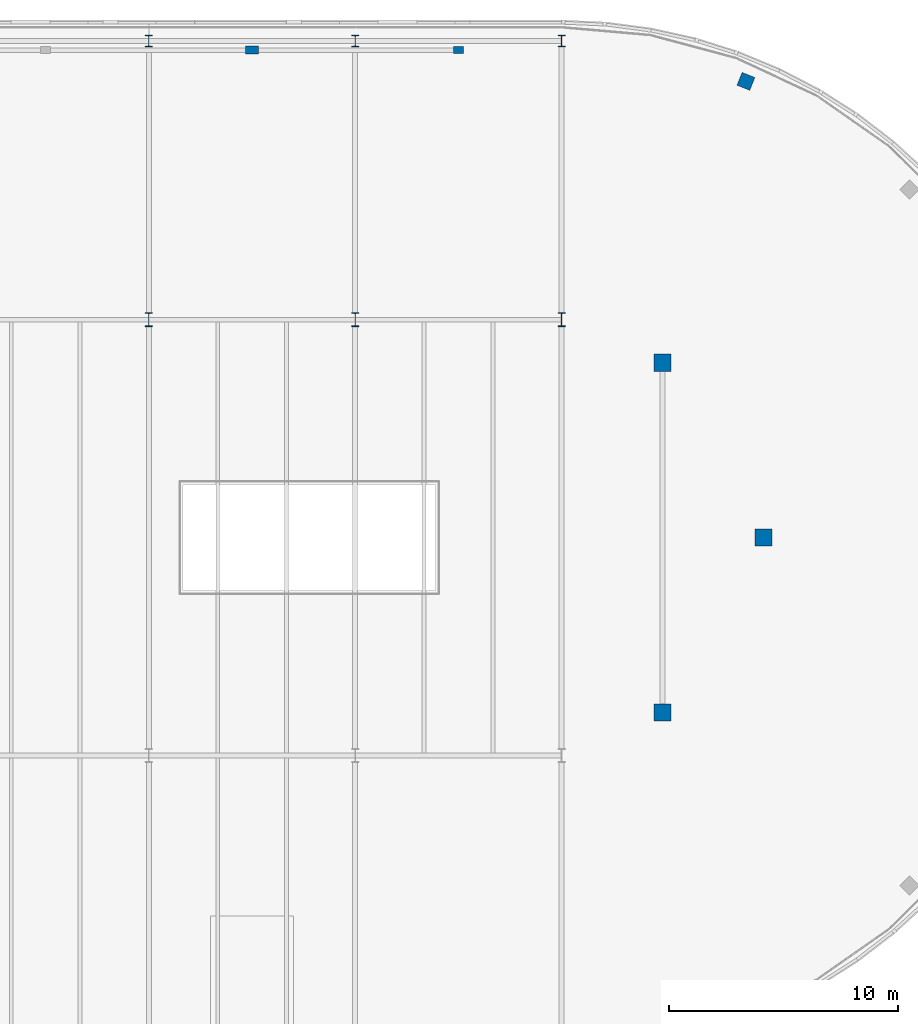
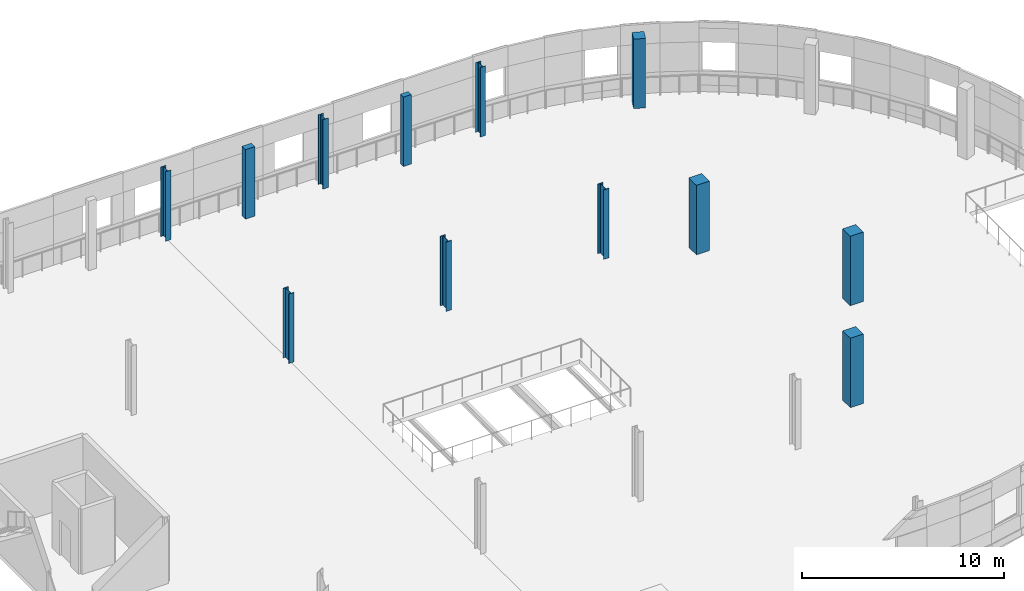
# One storey, part 14 of 135: 12 columns.
"""IFC4 building model written with IfcOpenShell, lengths in metres."""

import ifcopenshell
import ifcopenshell.guid

model = None  # the IFC model being written
_history = None  # IfcOwnerHistory: only IFC2X3 demands one
_inside = {}  # id of a spatial element -> (the spatial element, [elements in it])
_under = {}  # id of a project, library or spatial element -> (it, [spatial elements below it])
_declared = {}  # id of a project -> (the project, [libraries it declares])
_typed = {}  # id of a type object -> (the type object, [elements of that type])
_made_of = {}  # id of a material, layer set ... -> (it, [elements and type objects made of it])


def new_model(schema):
    """Start an empty IFC model of exactly this schema.

    Asked for "IFC4X3", IfcOpenShell would pick the latest addendum, in which some entities
    have other attributes; the version numbers below select the first issue.
    IFC2X3 requires an IfcOwnerHistory on every rooted entity: one is made here for all.
    """
    global model, _history
    if schema == "IFC4X3":
        model = ifcopenshell.file(schema_version=(4, 3, 0, 0))
    else:
        model = ifcopenshell.file(schema=schema)
    _inside.clear()
    _under.clear()
    _declared.clear()
    _typed.clear()
    _made_of.clear()
    _history = None
    if model.schema == "IFC2X3":
        org = make("IfcOrganization", Name="unknown")
        user = make(
            "IfcPersonAndOrganization",
            ThePerson=make("IfcPerson", FamilyName="unknown"),
            TheOrganization=org,
        )
        app = make(
            "IfcApplication",
            ApplicationDeveloper=org,
            Version="unknown",
            ApplicationFullName="unknown",
            ApplicationIdentifier="unknown",
        )
        _history = make(
            "IfcOwnerHistory",
            OwningUser=user,
            OwningApplication=app,
            ChangeAction="ADDED",
            CreationDate=0,
        )
    return model


def make(cls, **values):
    """One entity of the class cls with the attributes given. An attribute that is None is left unset."""
    return model.create_entity(
        cls, **{name: value for name, value in values.items() if value is not None}
    )


def rooted(cls, **values):
    """An entity with a GlobalId (a new one), such as an element, a storey or a relation."""
    return make(cls, GlobalId=ifcopenshell.guid.new(), OwnerHistory=_history, **values)


def si_unit(unit_type, name, prefix=None):
    """IfcSIUnit, for example si_unit("LENGTHUNIT", "METRE", prefix="MILLI")."""
    return make("IfcSIUnit", UnitType=unit_type, Prefix=prefix, Name=name)


def assignment(units):
    """IfcUnitAssignment: the units of a project."""
    return None if units is None else make("IfcUnitAssignment", Units=units)


def point(xyz):
    """IfcCartesianPoint."""
    return None if xyz is None else make("IfcCartesianPoint", Coordinates=xyz)


def direction(xyz):
    """IfcDirection."""
    return None if xyz is None else make("IfcDirection", DirectionRatios=xyz)


def frame(location, z_axis=None, x_axis=None):
    """IfcAxis2Placement3D, a coordinate frame: its origin and axes. An axis left out is left unset."""
    return make(
        "IfcAxis2Placement3D",
        Location=point(location),
        Axis=direction(z_axis),
        RefDirection=direction(x_axis),
    )


def frame_2d(location, x_axis=None):
    """IfcAxis2Placement2D, a coordinate frame in the plane: its origin and x axis."""
    return make(
        "IfcAxis2Placement2D", Location=point(location), RefDirection=direction(x_axis)
    )


def origin():
    """The frame at (0, 0, 0) with its axes left unset."""
    return frame((0.0, 0.0, 0.0))


def origin_2d():
    """The frame at (0, 0) in the plane with its x axis left unset."""
    return frame_2d((0.0, 0.0))


def place(relative_to, where):
    """IfcLocalPlacement: puts the frame where relative to a parent placement (None: the world)."""
    return make(
        "IfcLocalPlacement", PlacementRelTo=relative_to, RelativePlacement=where
    )


def context(
    kind, dimensions, precision=None, world=None, true_north=None, identifier=None
):
    """IfcGeometricRepresentationContext, for example the 3D "Model" context."""
    return make(
        "IfcGeometricRepresentationContext",
        ContextIdentifier=identifier,
        ContextType=kind,
        CoordinateSpaceDimension=dimensions,
        Precision=precision,
        WorldCoordinateSystem=world,
        TrueNorth=true_north,
    )


def subcontext(parent, identifier, kind, view, scale=None):
    """IfcGeometricRepresentationSubContext, for example "Body" below "Model"."""
    return make(
        "IfcGeometricRepresentationSubContext",
        ContextIdentifier=identifier,
        ContextType=kind,
        ParentContext=parent,
        TargetScale=scale,
        TargetView=view,
    )


def project(units=None, contexts=None):
    """IfcProject with its units and contexts."""
    return rooted(
        "IfcProject",
        Name="project",
        RepresentationContexts=contexts,
        UnitsInContext=assignment(units),
    )


def spatial(cls, under=None, at=None, **own):
    """A site, building, storey or space (cls), placed at a placement, below another one or the project."""
    s = rooted(cls, ObjectPlacement=at, **own)
    if under is not None:
        _under.setdefault(under.id(), (under, []))[1].append(s)
    return s


def profile(cls, at=None, kind="AREA", **sizes):
    """A parametric profile (cls). Its sizes go by their IFC names, for example OverallWidth=200.0."""
    return make(cls, ProfileType=kind, Position=at, **sizes)


def rectangle(**sizes):
    """IfcRectangleProfileDef."""
    return profile("IfcRectangleProfileDef", **sizes)


def i_section(**sizes):
    """IfcIShapeProfileDef."""
    return profile("IfcIShapeProfileDef", **sizes)


def extrude(swept, where, along, depth):
    """IfcExtrudedAreaSolid: the profile swept, set in the frame where, extruded along a direction by depth."""
    return make(
        "IfcExtrudedAreaSolid",
        SweptArea=swept,
        Position=where,
        ExtrudedDirection=direction(along),
        Depth=depth,
    )


def shape(context_of_items, identifier, shape_type, items):
    """IfcShapeRepresentation: the items that make up one representation, for example the "Body"."""
    return make(
        "IfcShapeRepresentation",
        ContextOfItems=context_of_items,
        RepresentationIdentifier=identifier,
        RepresentationType=shape_type,
        Items=items,
    )


def material(Name=None, Category=None):
    """IfcMaterial."""
    return make("IfcMaterial", Name=Name, Category=Category)


def material_profile(
    of_material, cross_section, Name=None, Category=None, Priority=None
):
    """IfcMaterialProfile: a cross section and its material."""
    return make(
        "IfcMaterialProfile",
        Name=Name,
        Material=of_material,
        Profile=cross_section,
        Priority=Priority,
        Category=Category,
    )


def profile_set(profiles, Name=None, composite=None):
    """IfcMaterialProfileSet."""
    return make(
        "IfcMaterialProfileSet",
        Name=Name,
        MaterialProfiles=profiles,
        CompositeProfile=composite,
    )


def made_of(thing, what):
    """Note that an element or type object is made of a material, layer set ...; save() writes the relation."""
    if what is not None:
        _made_of.setdefault(what.id(), (what, []))[1].append(thing)
    return thing


def type_object(cls, material=None, **own):
    """A type object (cls), such as IfcWallType, which elements share."""
    return made_of(rooted(cls, **own), material)


def element(
    cls,
    number,
    at=None,
    inside=None,
    cuts=None,
    type_object=None,
    material=None,
    context=None,
    identifier="Body",
    shape_type=None,
    held_by="IfcProductDefinitionShape",
    body=None,
    shapes=None,
    **own,
):
    """One element of the class cls, such as IfcWall. Its Tag is "e" and its number.

    at: its placement. inside: the storey or other place that contains it. cuts: it is an
    opening in that element (IfcRelVoidsElement). A single representation is given by context,
    identifier, shape_type and body (its items); several are given by shapes. held_by: the class
    of the entity that holds the representations. save() writes the other relations.
    """
    e = rooted(cls, Tag="e%d" % number, ObjectPlacement=at, **own)
    if body is not None:
        shapes = [shape(context, identifier, shape_type, body)]
    if shapes is not None:
        e.Representation = make(held_by, Representations=shapes)
    if inside is not None:
        _inside.setdefault(inside.id(), (inside, []))[1].append(e)
    if cuts is not None:
        rooted(
            "IfcRelVoidsElement", RelatingBuildingElement=cuts, RelatedOpeningElement=e
        )
    if type_object is not None:
        _typed.setdefault(type_object.id(), (type_object, []))[1].append(e)
    return made_of(e, material)


def aggregate(whole, parts):
    """IfcRelAggregates: a whole, such as a stair, and the parts it consists of."""
    return rooted("IfcRelAggregates", RelatingObject=whole, RelatedObjects=parts)


def save(model, path):
    """Write the relations noted so far, then the file.

    IfcRelAggregates (storeys below a building ...), IfcRelContainedInSpatialStructure (elements
    in a storey), IfcRelDefinesByType, IfcRelAssociatesMaterial and IfcRelDeclares: one each for
    every whole, place, type object, material and project.
    """
    for whole, parts in _under.values():
        aggregate(whole, parts)
    for where, things in _inside.values():
        rooted(
            "IfcRelContainedInSpatialStructure",
            RelatedElements=things,
            RelatingStructure=where,
        )
    for kind, things in _typed.values():
        rooted("IfcRelDefinesByType", RelatedObjects=things, RelatingType=kind)
    for what, things in _made_of.values():
        rooted("IfcRelAssociatesMaterial", RelatedObjects=things, RelatingMaterial=what)
    for by, libraries in _declared.values():
        rooted("IfcRelDeclares", RelatingContext=by, RelatedDefinitions=libraries)
    model.write(path)


model = new_model("IFC4")

# Units and contexts
model_context = context("Model", 3, precision=1e-05, world=origin(), true_north=direction((0.0, 1.0)))
body_context = subcontext(model_context, "Body", "Model", "MODEL_VIEW")
ifc_project = project(units=[si_unit("LENGTHUNIT", "METRE"), si_unit("AREAUNIT", "SQUARE_METRE"), si_unit("VOLUMEUNIT", "CUBIC_METRE"), si_unit("PLANEANGLEUNIT", "RADIAN"), si_unit("MASSUNIT", "GRAM", prefix="KILO")], contexts=[model_context])

# Site, building, storey
site_placement = place(None, origin())
site = spatial("IfcSite", under=ifc_project, at=site_placement, CompositionType="ELEMENT")
building_placement = place(site_placement, origin())
building = spatial("IfcBuilding", under=site, at=building_placement, Name="Deido Ridge Mobility Hub", CompositionType="ELEMENT")
storey_placement = place(building_placement, frame((0.0, 0.0, 4.199951171875)))
storey = spatial("IfcBuildingStorey", under=building, at=storey_placement, Name="L01", CompositionType="ELEMENT", Elevation=4.199951171875)

# Columns
ifc_material_1 = material(Name="Steel S355J2 EN 10025-2", Category="steel")
ifc_material_profile_1 = material_profile(ifc_material_1, i_section(OverallWidth=0.300048828125, OverallDepth=0.5, WebThickness=0.014404296875, FlangeThickness=0.028076171875, FilletRadius=0.027099609375, at=origin_2d()), Name="HEB 500")
ifc_profile_set_1 = profile_set([ifc_material_profile_1], Name="Steel S355J2 EN 10025-2")
column_type_1 = type_object("IfcColumnType", Name="COL-HEB500", PredefinedType="COLUMN", material=ifc_profile_set_1)
for number, where, z_axis, x_axis, name in (
    (1, (99.0, 125.14990234375, 0.0), (0.0, 0.0, 1.0), (1.0, 0.0, 0.0), "Structural column C5"),
    (2, (108.0, 125.14990234375, 0.0), (0.0, 0.0, 1.0), (1.0, 0.0, 0.0), "Structural column C5"),
    (3, (117.0, 125.14990234375, 0.0), (0.0, 0.0, 1.0), (1.0, 0.0, 0.0), "Structural column C5"),
):
    element("IfcColumn", number, at=place(storey_placement, frame(where, z_axis=z_axis, x_axis=x_axis)), inside=storey, type_object=column_type_1, Name=name, PredefinedType="COLUMN", context=body_context, shape_type="SweptSolid", body=[
        extrude(i_section(OverallWidth=0.300048828125, OverallDepth=0.5, WebThickness=0.014404296875, FlangeThickness=0.028076171875, FilletRadius=0.027099609375, at=origin_2d()), origin(), (0.0, 0.0, 1.0), 4.199951171875),
    ])
ifc_material_profile_2 = material_profile(ifc_material_1, i_section(OverallWidth=0.300048828125, OverallDepth=0.60009765625, WebThickness=0.015380859375, FlangeThickness=0.030029296875, FilletRadius=0.027099609375, at=origin_2d()), Name="HEB 600")
ifc_profile_set_2 = profile_set([ifc_material_profile_2], Name="Steel S355J2 EN 10025-2")
column_type_2 = type_object("IfcColumnType", Name="COL-HEB600", PredefinedType="COLUMN", material=ifc_profile_set_2)
for number, where, z_axis, x_axis, name in (
    (4, (99.0, 113.0, 0.0), (0.0, 0.0, 1.0), (1.0, 0.0, 0.0), "Structural column C4"),
    (5, (108.0, 113.0, 0.0), (0.0, 0.0, 1.0), (1.0, 0.0, 0.0), "Structural column C4"),
    (6, (117.0, 113.0, 0.0), (0.0, 0.0, 1.0), (1.0, 0.0, 0.0), "Structural column C4"),
):
    element("IfcColumn", number, at=place(storey_placement, frame(where, z_axis=z_axis, x_axis=x_axis)), inside=storey, type_object=column_type_2, Name=name, PredefinedType="COLUMN", context=body_context, shape_type="SweptSolid", body=[
        extrude(i_section(OverallWidth=0.300048828125, OverallDepth=0.60009765625, WebThickness=0.015380859375, FlangeThickness=0.030029296875, FilletRadius=0.027099609375, at=origin_2d()), origin(), (0.0, 0.0, 1.0), 4.199951171875),
    ])
ifc_material_2 = material(Name="Concrete C40/50", Category="concrete")
ifc_material_profile_3 = material_profile(ifc_material_2, rectangle(XDim=0.60009765625, YDim=0.60009765625, at=origin_2d()), Name="RC COL 600x600")
ifc_profile_set_3 = profile_set([ifc_material_profile_3], Name="Concrete C40/50")
column_type_3 = type_object("IfcColumnType", Name="COL-RC600", PredefinedType="COLUMN", material=ifc_profile_set_3)
column_1_placement = place(storey_placement, frame((125.035400390625, 123.38818359375, 0.0), z_axis=(0.0, 0.0, 1.0), x_axis=(0.374606593416, 0.927183854567, 0.0)))
element("IfcColumn", 7, at=column_1_placement, inside=storey, type_object=column_type_3, Name="Structural column RC2", PredefinedType="COLUMN", context=body_context, shape_type="SweptSolid", body=[
    extrude(rectangle(XDim=0.60009765625, YDim=0.60009765625, at=origin_2d()), origin(), (0.0, 0.0, 1.0), 4.199951171875),
])
ifc_material_profile_4 = material_profile(ifc_material_2, rectangle(XDim=0.75, YDim=0.75, at=origin_2d()), Name="RC COL 750x750")
ifc_profile_set_4 = profile_set([ifc_material_profile_4], Name="Concrete C40/50")
column_type_4 = type_object("IfcColumnType", Name="COL-RC750", PredefinedType="COLUMN", material=ifc_profile_set_4)
for number, where, z_axis, x_axis, name in (
    (8, (121.39990234375, 95.87890625, 0.0), (0.0, 0.0, 1.0), (1.0, 0.0, 0.0), "Structural column RC1"),
    (9, (125.800048828125, 103.5, 0.0), (0.0, 0.0, 1.0), (1.0, 0.0, 0.0), "Structural column RC1"),
    (10, (121.39990234375, 111.12109375, 0.0), (0.0, 0.0, 1.0), (1.0, 0.0, 0.0), "Structural column RC1"),
):
    element("IfcColumn", number, at=place(storey_placement, frame(where, z_axis=z_axis, x_axis=x_axis)), inside=storey, type_object=column_type_4, Name=name, PredefinedType="COLUMN", context=body_context, shape_type="SweptSolid", body=[
        extrude(rectangle(XDim=0.75, YDim=0.75, at=origin_2d()), origin(), (0.0, 0.0, 1.0), 4.199951171875),
    ])
ifc_material_profile_5 = material_profile(ifc_material_2, rectangle(XDim=0.449951171875, YDim=0.300048828125, at=origin_2d()), Name="RC PILASTER 450x300")
ifc_profile_set_5 = profile_set([ifc_material_profile_5], Name="Concrete C40/50")
column_type_5 = type_object("IfcColumnType", Name="PIL-RC450", PredefinedType="PILASTER", material=ifc_profile_set_5)
column_2_placement = place(storey_placement, frame((112.5, 124.75, 0.0), z_axis=(0.0, 0.0, 1.0), x_axis=(1.0, 0.0, 0.0)))
element("IfcColumn", 11, at=column_2_placement, inside=storey, type_object=column_type_5, Name="Structural column PL2", PredefinedType="PILASTER", context=body_context, shape_type="SweptSolid", body=[
    extrude(rectangle(XDim=0.449951171875, YDim=0.300048828125, at=origin_2d()), origin(), (0.0, 0.0, 1.0), 4.199951171875),
])
ifc_material_profile_6 = material_profile(ifc_material_2, rectangle(XDim=0.550048828125, YDim=0.35009765625, at=origin_2d()), Name="RC PILASTER 550x350")
ifc_profile_set_6 = profile_set([ifc_material_profile_6], Name="Concrete C40/50")
column_type_6 = type_object("IfcColumnType", Name="PIL-RC550", PredefinedType="PILASTER", material=ifc_profile_set_6)
column_3_placement = place(storey_placement, frame((103.5, 124.75, 0.0), z_axis=(0.0, 0.0, 1.0), x_axis=(1.0, 0.0, 0.0)))
element("IfcColumn", 12, at=column_3_placement, inside=storey, type_object=column_type_6, Name="Structural column PL1", PredefinedType="PILASTER", context=body_context, shape_type="SweptSolid", body=[
    extrude(rectangle(XDim=0.550048828125, YDim=0.35009765625, at=origin_2d()), origin(), (0.0, 0.0, 1.0), 4.199951171875),
])

save(model, "model.ifc")
